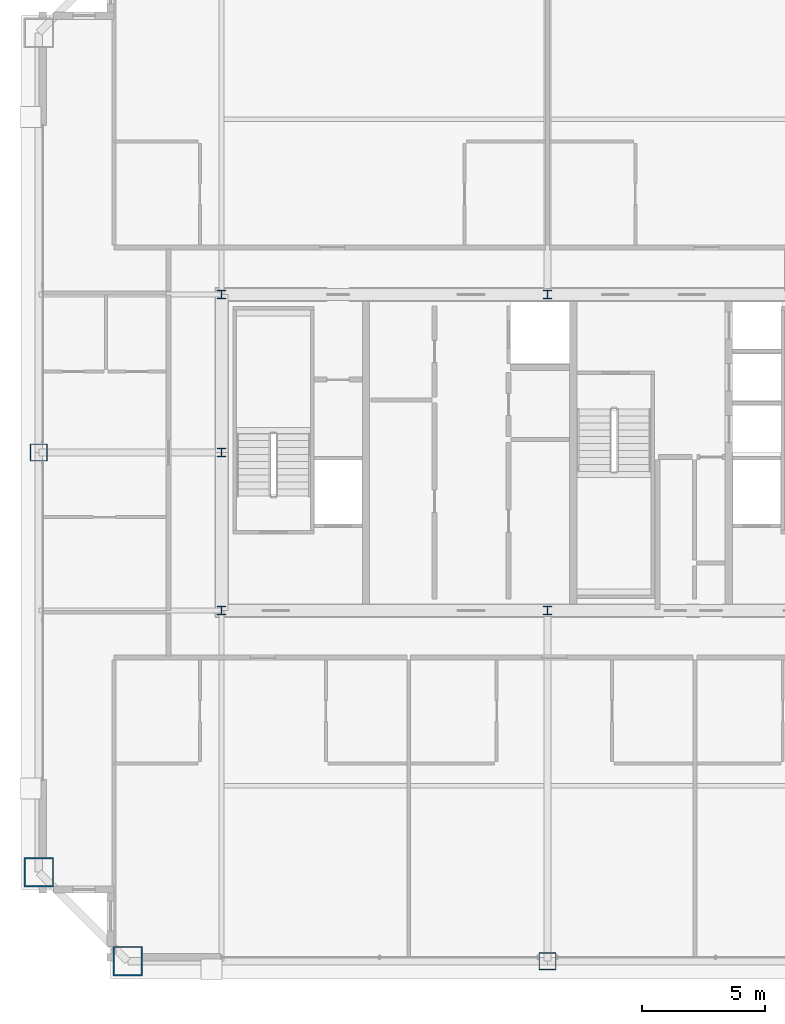
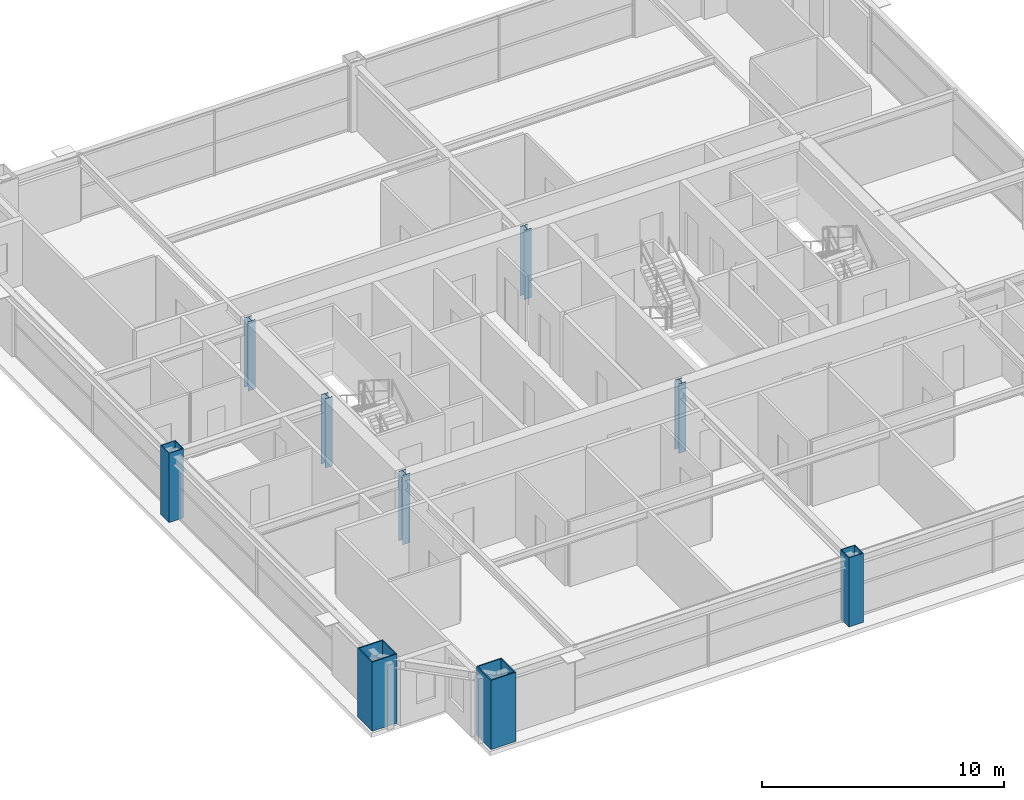
# One storey, part 1 of 37: 9 columns.
"""IFC4 building model written with IfcOpenShell, lengths in metres."""

from ifc_helpers import new_model, si_unit, direction, frame, origin, origin_2d, place, context, subcontext, project, spatial, hollow_rectangle, i_section, extrude, source, transform, mapped, material, material_profile, profile_set, type_object, element, save


model = new_model("IFC4")

# Units and contexts
model_context = context("Model", 3, precision=1e-05, world=origin(), true_north=direction((0.0, 1.0)))
body_context = subcontext(model_context, "Body", "Model", "MODEL_VIEW")
ifc_project = project(units=[si_unit("LENGTHUNIT", "METRE"), si_unit("AREAUNIT", "SQUARE_METRE"), si_unit("VOLUMEUNIT", "CUBIC_METRE"), si_unit("PLANEANGLEUNIT", "RADIAN"), si_unit("MASSUNIT", "GRAM", prefix="KILO"), si_unit("THERMODYNAMICTEMPERATUREUNIT", "KELVIN"), si_unit("POWERUNIT", "WATT")], contexts=[model_context])

# Site, building, storey
site_placement = place(None, origin())
site = spatial("IfcSite", under=ifc_project, at=site_placement, CompositionType="ELEMENT")
building_placement = place(site_placement, origin())
building = spatial("IfcBuilding", under=site, at=building_placement, Name="Yuzanri Waterfront Tower", CompositionType="ELEMENT")
storey_placement = place(building_placement, frame((0.0, 0.0, 275.10009765625)))
storey = spatial("IfcBuildingStorey", under=building, at=storey_placement, Name="L73", CompositionType="ELEMENT", Elevation=275.10009765625)

# Columns
ifc_material_1 = material(Name="Steel Q390GJC", Category="steel")
ifc_material_profile_1 = material_profile(ifc_material_1, hollow_rectangle(XDim=1.199951171875, YDim=1.199951171875, WallThickness=0.054931640625, at=origin_2d()), Name="RHS 1200x1200x55")
ifc_profile_set_1 = profile_set([ifc_material_profile_1], Name="Steel Q390GJC")
column_type_1 = type_object("IfcColumnType", Name="Mega Column Q390GJC RHS 1200x1200x55", PredefinedType="COLUMN", material=ifc_profile_set_1)
shared_shape_1 = source(origin(), body_context, "Body", "SweptSolid", [
    extrude(hollow_rectangle(XDim=1.199951171875, YDim=1.199951171875, WallThickness=0.054931640625, at=origin_2d()), origin(), (0.0, 0.0, 1.0), 3.5),
])
for number, where, z_axis, x_axis, name in (
    (1, (20.0, 5.199951171875, 0.0), (0.0, 0.0, 1.0), (1.0, 0.0, 0.0), "L73 Perimeter Mega Column S1"),
    (2, (16.39990234375, 8.800048828125, 0.0), (0.0, 0.0, 1.0), (1.0, 0.0, 0.0), "L73 Perimeter Mega Column W1"),
):
    element("IfcColumn", number, at=place(storey_placement, frame(where, z_axis=z_axis, x_axis=x_axis)), inside=storey, type_object=column_type_1, Name=name, PredefinedType="COLUMN", context=body_context, shape_type="MappedRepresentation", body=[
        mapped(shared_shape_1, transform((0.0, 0.0, 0.0), scale=1.0)),
    ])
ifc_material_2 = material(Name="Steel Q355B", Category="steel")
ifc_material_profile_2 = material_profile(ifc_material_2, hollow_rectangle(XDim=0.699951171875, YDim=0.699951171875, WallThickness=0.031982421875, at=origin_2d()), Name="RHS 700x700x32")
ifc_profile_set_2 = profile_set([ifc_material_profile_2], Name="Steel Q355B")
column_type_2 = type_object("IfcColumnType", Name="Frame Column Q355B RHS 700x700x32", PredefinedType="COLUMN", material=ifc_profile_set_2)
shared_shape_2 = source(origin(), body_context, "Body", "SweptSolid", [
    extrude(hollow_rectangle(XDim=0.699951171875, YDim=0.699951171875, WallThickness=0.031982421875, at=origin_2d()), origin(), (0.0, 0.0, 1.0), 3.5),
])
for number, where, z_axis, x_axis, name in (
    (3, (37.0, 5.199951171875, 0.0), (0.0, 0.0, 1.0), (1.0, 0.0, 0.0), "L73 Perimeter Frame Column S2"),
    (4, (16.39990234375, 25.800048828125, 0.0), (0.0, 0.0, 1.0), (1.0, 0.0, 0.0), "L73 Perimeter Frame Column W2"),
):
    element("IfcColumn", number, at=place(storey_placement, frame(where, z_axis=z_axis, x_axis=x_axis)), inside=storey, type_object=column_type_2, Name=name, PredefinedType="COLUMN", context=body_context, shape_type="MappedRepresentation", body=[
        mapped(shared_shape_2, transform((0.0, 0.0, 0.0), scale=1.0)),
    ])
ifc_material_3 = material(Name="Steel Q355B", Category="steel")
ifc_material_profile_3 = material_profile(ifc_material_3, i_section(OverallWidth=0.35009765625, OverallDepth=0.35009765625, WebThickness=0.011962890625, FlangeThickness=0.01904296875, at=origin_2d()), Name="HW 350x350x12x19")
ifc_profile_set_3 = profile_set([ifc_material_profile_3], Name="Steel Q355B")
column_type_3 = type_object("IfcColumnType", Name="Core Post Q355B HW 350x350x12x19", PredefinedType="COLUMN", material=ifc_profile_set_3)
shared_shape_3 = source(origin(), body_context, "Body", "SweptSolid", [
    extrude(i_section(OverallWidth=0.35009765625, OverallDepth=0.35009765625, WebThickness=0.011962890625, FlangeThickness=0.01904296875, at=origin_2d()), origin(), (0.0, 0.0, 1.0), 3.5),
])
for number, where, z_axis, x_axis, name in (
    (5, (23.800048828125, 19.39990234375, 0.0), (0.0, 0.0, 1.0), (1.0, 0.0, 0.0), "L73 Core Boundary Column CP1"),
    (6, (37.0, 19.39990234375, 0.0), (0.0, 0.0, 1.0), (1.0, 0.0, 0.0), "L73 Core Boundary Column CP2"),
    (7, (23.800048828125, 25.800048828125, 0.0), (0.0, 0.0, 1.0), (1.0, 0.0, 0.0), "L73 Core Boundary Column CP4"),
    (8, (23.800048828125, 32.199951171875, 0.0), (0.0, 0.0, 1.0), (1.0, 0.0, 0.0), "L73 Core Boundary Column CP6"),
    (9, (37.0, 32.199951171875, 0.0), (0.0, 0.0, 1.0), (1.0, 0.0, 0.0), "L73 Core Boundary Column CP7"),
):
    element("IfcColumn", number, at=place(storey_placement, frame(where, z_axis=z_axis, x_axis=x_axis)), inside=storey, type_object=column_type_3, Name=name, PredefinedType="COLUMN", context=body_context, shape_type="MappedRepresentation", body=[
        mapped(shared_shape_3, transform((0.0, 0.0, 0.0), scale=1.0)),
    ])

save(model, "model.ifc")
